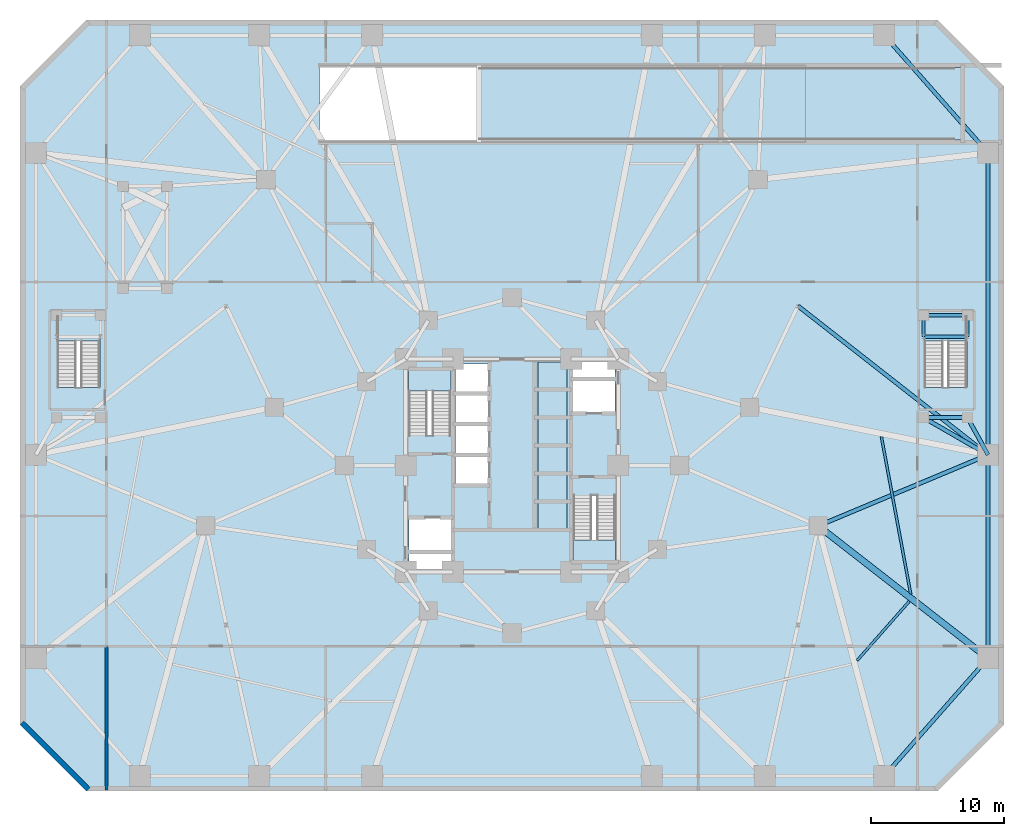
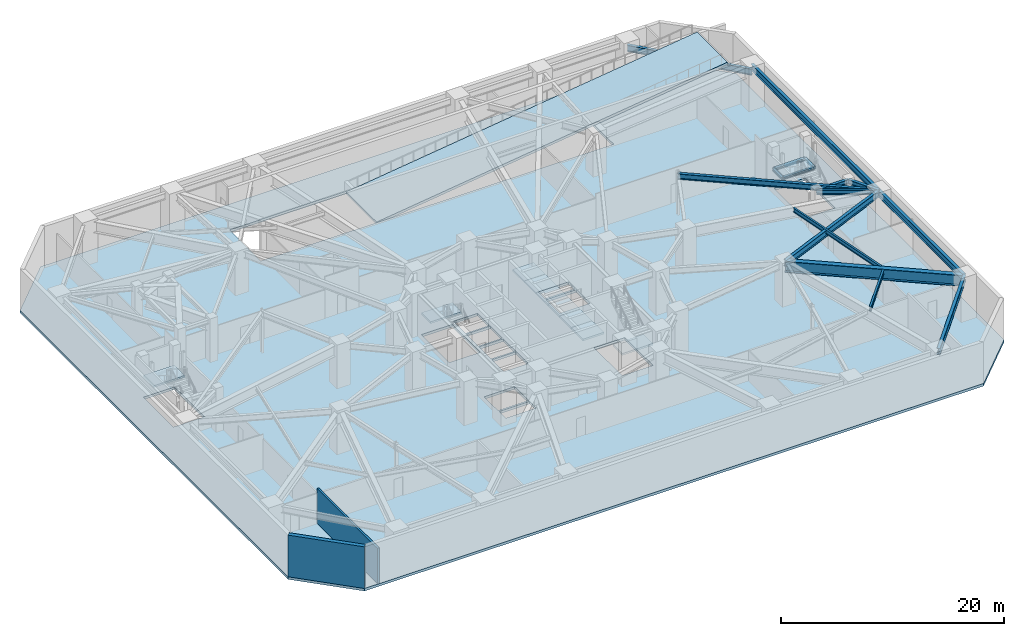
# One storey, part 10 of 18: 16 beams, 12 slabs, 2 walls, 4 elements without a shape of their own.
"""IFC4 building model written with IfcOpenShell, lengths in metres."""

from ifc_helpers import new_model, si_unit, direction, frame, frame_2d, origin, origin_2d, place, context, subcontext, project, spatial, polyline, rectangle, i_section, outline, extrude, material, layer, layer_set, material_profile, profile_set, type_object, element, aggregate, save


model = new_model("IFC4")

# Units and contexts
model_context = context("Model", 3, precision=1e-05, world=origin(), true_north=direction((0.0, 1.0)))
body_context = subcontext(model_context, "Body", "Model", "MODEL_VIEW")
ifc_project = project(units=[si_unit("LENGTHUNIT", "METRE"), si_unit("AREAUNIT", "SQUARE_METRE"), si_unit("VOLUMEUNIT", "CUBIC_METRE"), si_unit("PLANEANGLEUNIT", "RADIAN"), si_unit("MASSUNIT", "GRAM", prefix="KILO")], contexts=[model_context])

# Site, building, storey
site_placement = place(None, origin())
site = spatial("IfcSite", under=ifc_project, at=site_placement, CompositionType="ELEMENT")
building_placement = place(site_placement, origin())
building = spatial("IfcBuilding", under=site, at=building_placement, Name="Terralouvre Media Tower", CompositionType="ELEMENT")
storey_placement = place(building_placement, frame((0.0, 0.0, -4.800048828125)))
storey = spatial("IfcBuildingStorey", under=building, at=storey_placement, Name="B01", CompositionType="ELEMENT", Elevation=-4.800048828125)

# Beams
ifc_material_1 = material(Name="Structural steel S355J2", Category="steel")
ifc_material_profile_1 = material_profile(ifc_material_1, i_section(OverallWidth=0.18994140625, OverallDepth=0.449951171875, WebThickness=0.009521484375, FlangeThickness=0.0146484375, at=origin_2d()), Name="IPE 450")
ifc_profile_set_1 = profile_set([ifc_material_profile_1], Name="Structural steel S355J2")
beam_type_1 = type_object("IfcBeamType", Name="Composite Floor Joist J-IPE450 (IPE 450)", PredefinedType="JOIST", material=ifc_profile_set_1)
beam_1_placement = place(storey_placement, frame((25.950927734375, -14.67333984375, 4.324951171875), z_axis=(0.66119903181, 0.750210530674, 0.0), x_axis=(-0.750210530674, 0.66119903181, 0.0)))
element("IfcBeam", 1, at=beam_1_placement, inside=storey, type_object=beam_type_1, Name="B01 Framing Beam JT-B01-07", PredefinedType="JOIST", context=body_context, shape_type="SweptSolid", body=[
    extrude(i_section(OverallWidth=0.18994140625, OverallDepth=0.449951171875, WebThickness=0.009521484375, FlangeThickness=0.0146484375, at=origin_2d()), origin(), (0.0, 0.0, 1.0), 5.962890625),
])
beam_2_placement = place(storey_placement, frame((29.985107421875, -9.6669921875, 4.324951171875), z_axis=(-0.183290741446, 0.983058749058, 0.0), x_axis=(-0.983058749058, -0.183290741446, 0.0)))
element("IfcBeam", 2, at=beam_2_placement, inside=storey, type_object=beam_type_1, Name="B01 Framing Beam JT-B01-08", PredefinedType="JOIST", context=body_context, shape_type="SweptSolid", body=[
    extrude(i_section(OverallWidth=0.18994140625, OverallDepth=0.449951171875, WebThickness=0.009521484375, FlangeThickness=0.0146484375, at=origin_2d()), origin(), (0.0, 0.0, 1.0), 12.026611328125),
])
ifc_material_2 = material(Name="Structural steel S355J2", Category="steel")
ifc_material_profile_2 = material_profile(ifc_material_2, i_section(OverallWidth=0.239990234375, OverallDepth=0.239990234375, WebThickness=0.010009765625, FlangeThickness=0.01708984375, at=origin_2d()), Name="HEB 240")
ifc_profile_set_2 = profile_set([ifc_material_profile_2], Name="Structural steel S355J2")
beam_type_2 = type_object("IfcBeamType", Name="Opening Lintel Beam LN-240H (HEB 240)", PredefinedType="LINTEL", material=ifc_profile_set_2)
for number, where, z_axis, x_axis, name in (
    (3, (30.949951171875, 9.679931640625, 2.080078125), (0.0, 1.0, 0.0), (-1.0, 0.0, 0.0), "B01 ST-04 Intermediate Landing Support Beam 1W"),
    (4, (34.25, 9.679931640625, 2.080078125), (0.0, 1.0, 0.0), (-1.0, 0.0, 0.0), "B01 ST-04 Intermediate Landing Support Beam 1E"),
):
    element("IfcBeam", number, at=place(storey_placement, frame(where, z_axis=z_axis, x_axis=x_axis)), inside=storey, type_object=beam_type_2, Name=name, PredefinedType="LINTEL", context=body_context, shape_type="SweptSolid", body=[
        extrude(i_section(OverallWidth=0.239990234375, OverallDepth=0.239990234375, WebThickness=0.010009765625, FlangeThickness=0.01708984375, at=origin_2d()), origin(), (0.0, 0.0, 1.0), 1.6201171875),
    ])
for number, where, z_axis, x_axis, name in (
    (5, (30.949951171875, 9.679931640625, 2.080078125), (1.0, 0.0, 0.0), (0.0, 1.0, 0.0), "B01 ST-04 Intermediate Landing Support Beam 1S"),
    (6, (30.949951171875, 11.300048828125, 2.080078125), (1.0, 0.0, 0.0), (0.0, 1.0, 0.0), "B01 ST-04 Intermediate Landing Support Beam 1X"),
):
    element("IfcBeam", number, at=place(storey_placement, frame(where, z_axis=z_axis, x_axis=x_axis)), inside=storey, type_object=beam_type_2, Name=name, PredefinedType="LINTEL", context=body_context, shape_type="SweptSolid", body=[
        extrude(i_section(OverallWidth=0.239990234375, OverallDepth=0.239990234375, WebThickness=0.010009765625, FlangeThickness=0.01708984375, at=origin_2d()), origin(), (0.0, 0.0, 1.0), 3.300048828125),
    ])
ifc_material_3 = material(Name="Structural steel S355J2", Category="steel")
ifc_material_profile_3 = material_profile(ifc_material_3, i_section(OverallWidth=0.300048828125, OverallDepth=0.449951171875, WebThickness=0.013916015625, FlangeThickness=0.02587890625, at=origin_2d()), Name="HEB 450")
ifc_profile_set_3 = profile_set([ifc_material_profile_3], Name="Structural steel S355J2")
beam_type_3 = type_object("IfcBeamType", Name="Primary Floor Girder B-HEB450 (HEB 450)", PredefinedType="BEAM", material=ifc_profile_set_3)
beam_3_placement = place(storey_placement, frame((30.949951171875, 3.60009765625, 4.324951171875), z_axis=(1.0, 0.0, 0.0), x_axis=(0.0, 1.0, 0.0)))
element("IfcBeam", 7, at=beam_3_placement, inside=storey, type_object=beam_type_3, Name="B01 Framing Beam BM-B01-PVST41", PredefinedType="BEAM", context=body_context, shape_type="SweptSolid", body=[
    extrude(i_section(OverallWidth=0.300048828125, OverallDepth=0.449951171875, WebThickness=0.013916015625, FlangeThickness=0.02587890625, at=origin_2d()), origin(), (0.0, 0.0, 1.0), 3.300048828125),
])
ifc_material_4 = material(Name="Structural steel S355J2", Category="steel")
ifc_material_profile_4 = material_profile(ifc_material_4, i_section(OverallWidth=0.300048828125, OverallDepth=0.5, WebThickness=0.014404296875, FlangeThickness=0.028076171875, at=origin_2d()), Name="HEB 500")
ifc_profile_set_4 = profile_set([ifc_material_profile_4], Name="Structural steel S355J2")
beam_type_4 = type_object("IfcBeamType", Name="Primary Floor Girder B-HEB500 (HEB 500)", PredefinedType="BEAM", material=ifc_profile_set_4)
beam_4_placement = place(storey_placement, frame((30.949951171875, 3.60009765625, 4.300048828125), z_axis=(0.866037493094, -0.499979060117, 0.0), x_axis=(0.499979060117, 0.866037493094, 0.0)))
element("IfcBeam", 8, at=beam_4_placement, inside=storey, type_object=beam_type_4, Name="B01 Framing Beam BM-B01-PVTST41", PredefinedType="BEAM", context=body_context, shape_type="SweptSolid", body=[
    extrude(i_section(OverallWidth=0.300048828125, OverallDepth=0.5, WebThickness=0.014404296875, FlangeThickness=0.028076171875, at=origin_2d()), origin(), (0.0, 0.0, 1.0), 5.600341796875),
])
beam_5_placement = place(storey_placement, frame((34.25, 3.60009765625, 4.300048828125), z_axis=(0.484321096397, -0.874890322032, 0.0), x_axis=(0.874890322032, 0.484321096397, 0.0)))
element("IfcBeam", 9, at=beam_5_placement, inside=storey, type_object=beam_type_4, Name="B01 Framing Beam BM-B01-PVTST42", PredefinedType="BEAM", context=body_context, shape_type="SweptSolid", body=[
    extrude(i_section(OverallWidth=0.300048828125, OverallDepth=0.5, WebThickness=0.014404296875, FlangeThickness=0.028076171875, at=origin_2d()), origin(), (0.0, 0.0, 1.0), 3.200439453125),
])
ifc_material_5 = material(Name="Structural steel S460M", Category="steel")
ifc_material_profile_5 = material_profile(ifc_material_5, i_section(OverallWidth=0.300048828125, OverallDepth=0.60009765625, WebThickness=0.015380859375, FlangeThickness=0.030029296875, at=origin_2d()), Name="HEB 600")
ifc_profile_set_5 = profile_set([ifc_material_profile_5], Name="Structural steel S460M")
beam_type_5 = type_object("IfcBeamType", Name="Primary Floor Girder B-HEB600 (HEB 600)", PredefinedType="BEAM", material=ifc_profile_set_5)
beam_6_placement = place(storey_placement, frame((21.5, 12.0, 4.25), z_axis=(0.787274922091, -0.616602138373, 0.0), x_axis=(0.616602138373, 0.787274922091, 0.0)))
element("IfcBeam", 10, at=beam_6_placement, inside=storey, type_object=beam_type_5, Name="B01 Framing Beam BM-B01-PIL4B", PredefinedType="BEAM", context=body_context, shape_type="SweptSolid", body=[
    extrude(i_section(OverallWidth=0.300048828125, OverallDepth=0.60009765625, WebThickness=0.015380859375, FlangeThickness=0.030029296875, at=origin_2d()), origin(), (0.0, 0.0, 1.0), 18.1640625),
])
ifc_material_6 = material(Name="Structural steel S460M", Category="steel")
ifc_material_profile_6 = material_profile(ifc_material_6, i_section(OverallWidth=0.300048828125, OverallDepth=0.699951171875, WebThickness=0.01708984375, FlangeThickness=0.031982421875, at=origin_2d()), Name="HEB 700")
ifc_profile_set_6 = profile_set([ifc_material_profile_6], Name="Structural steel S460M")
beam_type_6 = type_object("IfcBeamType", Name="Primary Floor Girder B-HEB700 (HEB 700)", PredefinedType="BEAM", material=ifc_profile_set_6)
beam_7_placement = place(storey_placement, frame((23.02490234375, -4.546630859375, 4.199951171875), z_axis=(0.922468147364, 0.386073201737, 0.0), x_axis=(-0.386073201737, 0.922468147364, 0.0)))
element("IfcBeam", 11, at=beam_7_placement, inside=storey, type_object=beam_type_6, Name="B01 Framing Beam BM-B01-PM21P1", PredefinedType="BEAM", context=body_context, shape_type="SweptSolid", body=[
    extrude(i_section(OverallWidth=0.300048828125, OverallDepth=0.699951171875, WebThickness=0.01708984375, FlangeThickness=0.031982421875, at=origin_2d()), origin(), (0.0, 0.0, 1.0), 13.848876953125),
])
beam_8_placement = place(storey_placement, frame((28.0, -23.35009765625, 4.199951171875), z_axis=(0.661199207896, 0.75021037548, 0.0), x_axis=(-0.75021037548, 0.661199207896, 0.0)))
element("IfcBeam", 12, at=beam_8_placement, inside=storey, type_object=beam_type_6, Name="B01 Framing Beam BM-B01-PR07", PredefinedType="BEAM", context=body_context, shape_type="SweptSolid", body=[
    extrude(i_section(OverallWidth=0.300048828125, OverallDepth=0.699951171875, WebThickness=0.01708984375, FlangeThickness=0.031982421875, at=origin_2d()), origin(), (0.0, 0.0, 1.0), 11.796875),
])
beam_9_placement = place(storey_placement, frame((35.800048828125, -14.5, 4.199951171875), z_axis=(0.0, 1.0, 0.0), x_axis=(-1.0, 0.0, 0.0)))
element("IfcBeam", 13, at=beam_9_placement, inside=storey, type_object=beam_type_6, Name="B01 Framing Beam BM-B01-PR08", PredefinedType="BEAM", context=body_context, shape_type="SweptSolid", body=[
    extrude(i_section(OverallWidth=0.300048828125, OverallDepth=0.699951171875, WebThickness=0.01708984375, FlangeThickness=0.031982421875, at=origin_2d()), origin(), (0.0, 0.0, 1.0), 15.300048828125),
])
beam_10_placement = place(storey_placement, frame((35.800048828125, 0.800048828125, 4.199951171875), z_axis=(0.0, 1.0, 0.0), x_axis=(-1.0, 0.0, 0.0)))
element("IfcBeam", 14, at=beam_10_placement, inside=storey, type_object=beam_type_6, Name="B01 Framing Beam BM-B01-PR09", PredefinedType="BEAM", context=body_context, shape_type="SweptSolid", body=[
    extrude(i_section(OverallWidth=0.300048828125, OverallDepth=0.699951171875, WebThickness=0.01708984375, FlangeThickness=0.031982421875, at=origin_2d()), origin(), (0.0, 0.0, 1.0), 22.699951171875),
])
beam_11_placement = place(storey_placement, frame((35.800048828125, 23.5, 3.650146484375), z_axis=(-0.661199207896, 0.75021037548, 0.0), x_axis=(-0.75021037548, -0.661199207896, 0.0)))
element("IfcBeam", 15, at=beam_11_placement, inside=storey, type_object=beam_type_6, Name="B01 Framing Beam BM-B01-PR10", PredefinedType="BEAM", context=body_context, shape_type="SweptSolid", body=[
    extrude(i_section(OverallWidth=0.300048828125, OverallDepth=0.699951171875, WebThickness=0.01708984375, FlangeThickness=0.031982421875, at=origin_2d()), origin(), (0.0, 0.0, 1.0), 11.796875),
])
ifc_material_7 = material(Name="Structural steel S460M", Category="steel")
ifc_material_profile_7 = material_profile(ifc_material_7, i_section(OverallWidth=0.47998046875, OverallDepth=1.199951171875, WebThickness=0.028076171875, FlangeThickness=0.044921875, at=origin_2d()), Name="PG 1200x480")
ifc_profile_set_7 = profile_set([ifc_material_profile_7], Name="Structural steel S460M")
beam_type_7 = type_object("IfcBeamType", Name="Primary Floor Girder B-PG1200 (PG 1200x480)", PredefinedType="BEAM", material=ifc_profile_set_7)
beam_12_placement = place(storey_placement, frame((23.02490234375, -4.546630859375, 3.949951171875), z_axis=(0.788838921833, -0.614599996259, 0.0), x_axis=(0.614599996259, 0.788838921833, 0.0)))
element("IfcBeam", 16, at=beam_12_placement, inside=storey, type_object=beam_type_7, Name="B01 Framing Beam BM-B01-RD08", PredefinedType="BEAM", context=body_context, shape_type="SweptSolid", body=[
    extrude(i_section(OverallWidth=0.47998046875, OverallDepth=1.199951171875, WebThickness=0.028076171875, FlangeThickness=0.044921875, at=origin_2d()), origin(), (0.0, 0.0, 1.0), 16.19482421875),
])

# Slabs
ifc_material_8 = material(Name="Concrete C50/60", Category="concrete")
ifc_layer_1 = layer(ifc_material_8, 0.280029296875, Name="Basement Suspended Car Park Slab S-CAR280")
ifc_layer_set_1 = layer_set([ifc_layer_1], Name="Concrete C50/60")
slab_type_1 = type_object("IfcSlabType", Name="Basement Suspended Car Park Slab S-CAR280", PredefinedType="FLOOR", material=ifc_layer_set_1)
slab_1_placement = place(storey_placement, frame((0.0, 0.0, -0.280029296875)))
element("IfcSlab", 17, at=slab_1_placement, inside=storey, type_object=slab_type_1, Name="B01 Structural Floor Slab", PredefinedType="FLOOR", context=body_context, shape_type="SweptSolid", body=[
    extrude(outline(polyline([(-32.0, -24.5), (32.0, -24.5), (37.0, -19.5), (37.0, 28.5), (32.0, 33.5), (-32.0, 33.5), (-37.0, 28.5), (-37.0, -19.5), (-32.0, -24.5)]), holes=[polyline([(-4.60009765625, -6.60009765625), (-4.60009765625, -7.800048828125), (-7.75, -7.800048828125), (-7.75, -6.60009765625), (-4.60009765625, -6.60009765625)]), polyline([(-4.60009765625, -6.39990234375), (-7.75, -6.39990234375), (-7.75, -3.949951171875), (-4.60009765625, -3.949951171875), (-4.60009765625, -6.39990234375)]), polyline([(-1.75, -1.419921875), (-4.25, -1.419921875), (-4.25, 0.719970703125), (-1.75, 0.719970703125), (-1.75, -1.419921875)]), polyline([(-1.75, 0.8798828125), (-4.25, 0.8798828125), (-4.25, 3.02001953125), (-1.75, 3.02001953125), (-1.75, 0.8798828125)]), polyline([(-1.75, 3.179931640625), (-4.25, 3.179931640625), (-4.25, 5.320068359375), (-1.75, 5.320068359375), (-1.75, 3.179931640625)]), polyline([(-4.60009765625, 2.2451171875), (-7.780029296875, 2.2451171875), (-7.780029296875, 7.260009765625), (-4.60009765625, 7.260009765625), (-4.60009765625, 2.2451171875)]), polyline([(-31.0, 5.875), (-34.199951171875, 5.875), (-34.199951171875, 11.25), (-31.0, 11.25), (-31.0, 5.875)]), polyline([(4.60009765625, -7.260009765625), (4.60009765625, -2.2451171875), (7.780029296875, -2.2451171875), (7.780029296875, -7.260009765625), (4.60009765625, -7.260009765625)]), polyline([(7.75, 3.949951171875), (4.60009765625, 3.949951171875), (4.60009765625, 6.39990234375), (7.75, 6.39990234375), (7.75, 3.949951171875)]), polyline([(-1.75, 5.47998046875), (-4.25, 5.47998046875), (-4.25, 7.6201171875), (-1.75, 7.6201171875), (-1.75, 5.47998046875)]), polyline([(7.75, 6.60009765625), (4.60009765625, 6.60009765625), (4.60009765625, 7.800048828125), (7.75, 7.800048828125), (7.75, 6.60009765625)]), polyline([(34.199951171875, 5.875), (31.0, 5.875), (31.0, 11.25), (34.199951171875, 11.25), (34.199951171875, 5.875)]), polyline([(-0.25, 24.39990234375), (-2.47998046875, 24.39990234375), (-14.47998046875, 24.39990234375), (-14.47998046875, 30.0), (-2.47998046875, 30.0), (-0.25, 30.0), (22.0, 30.0), (22.0, 24.39990234375), (-0.25, 24.39990234375)])]), origin(), (0.0, 0.0, 1.0), 0.280029296875),
])
ifc_material_9 = material(Name="Concrete C50/60", Category="concrete")
ifc_layer_2 = layer(ifc_material_9, 0.199951171875, Name="Lift Pit and Overrun Structural Slab SL-LP200")
ifc_layer_set_2 = layer_set([ifc_layer_2], Name="Concrete C50/60")
slab_type_2 = type_object("IfcSlabType", Name="Lift Pit and Overrun Structural Slab SL-LP200", PredefinedType="FLOOR", material=ifc_layer_set_2)
slab_2_placement = place(storey_placement, frame((0.0, 0.0, 3.199951171875)))
element("IfcSlab", 18, at=slab_2_placement, inside=storey, type_object=slab_type_2, Name="PL-M1 Lift Pit Base Slab", PredefinedType="FLOOR", context=body_context, shape_type="SweptSolid", body=[
    extrude(outline(polyline([(1.969970703125, 1.5048828125), (4.1298828125, 1.5048828125), (4.1298828125, 3.594970703125), (1.969970703125, 3.594970703125), (1.969970703125, 1.5048828125)])), origin(), (0.0, 0.0, 1.0), 0.2001953125),
])
slab_3_placement = place(storey_placement, frame((0.0, 0.0, 3.199951171875)))
element("IfcSlab", 19, at=slab_3_placement, inside=storey, type_object=slab_type_2, Name="PL-M2 Lift Pit Base Slab", PredefinedType="FLOOR", context=body_context, shape_type="SweptSolid", body=[
    extrude(outline(polyline([(1.969970703125, 3.60498046875), (4.1298828125, 3.60498046875), (4.1298828125, 5.695068359375), (1.969970703125, 5.695068359375), (1.969970703125, 3.60498046875)])), origin(), (0.0, 0.0, 1.0), 0.2001953125),
])
slab_4_placement = place(storey_placement, frame((0.0, 0.0, 3.199951171875)))
element("IfcSlab", 20, at=slab_4_placement, inside=storey, type_object=slab_type_2, Name="PL-M3 Lift Pit Base Slab", PredefinedType="FLOOR", context=body_context, shape_type="SweptSolid", body=[
    extrude(outline(polyline([(1.969970703125, 5.705078125), (4.1298828125, 5.705078125), (4.1298828125, 7.794921875), (1.969970703125, 7.794921875), (1.969970703125, 5.705078125)])), origin(), (0.0, 0.0, 1.0), 0.2001953125),
])
slab_5_placement = place(storey_placement, frame((0.0, 0.0, 3.199951171875)))
element("IfcSlab", 21, at=slab_5_placement, inside=storey, type_object=slab_type_2, Name="PL-H1 Lift Pit Base Slab", PredefinedType="FLOOR", context=body_context, shape_type="SweptSolid", body=[
    extrude(outline(polyline([(1.969970703125, -4.794921875), (4.1298828125, -4.794921875), (4.1298828125, -2.705078125), (1.969970703125, -2.705078125), (1.969970703125, -4.794921875)])), origin(), (0.0, 0.0, 1.0), 0.2001953125),
])
slab_6_placement = place(storey_placement, frame((0.0, 0.0, 3.199951171875)))
element("IfcSlab", 22, at=slab_6_placement, inside=storey, type_object=slab_type_2, Name="PL-H2 Lift Pit Base Slab", PredefinedType="FLOOR", context=body_context, shape_type="SweptSolid", body=[
    extrude(outline(polyline([(1.969970703125, -2.695068359375), (4.1298828125, -2.695068359375), (4.1298828125, -0.60498046875), (1.969970703125, -0.60498046875), (1.969970703125, -2.695068359375)])), origin(), (0.0, 0.0, 1.0), 0.2001953125),
])
slab_7_placement = place(storey_placement, frame((0.0, 0.0, 3.199951171875)))
element("IfcSlab", 23, at=slab_7_placement, inside=storey, type_object=slab_type_2, Name="PL-H3 Lift Pit Base Slab", PredefinedType="FLOOR", context=body_context, shape_type="SweptSolid", body=[
    extrude(outline(polyline([(1.969970703125, -0.594970703125), (4.1298828125, -0.594970703125), (4.1298828125, 1.4951171875), (1.969970703125, 1.4951171875), (1.969970703125, -0.594970703125)])), origin(), (0.0, 0.0, 1.0), 0.2001953125),
])

# Stair, slab
ifc_material_10 = material(Name="Concrete C45/55", Category="concrete")
stair_type_1 = type_object("IfcStairType", Name="Dogleg Stair Assembly ST-01", PredefinedType="HALF_TURN_STAIR", material=ifc_material_10)
stair_1_placement = place(storey_placement, origin())
stair_1 = element("IfcStair", 24, at=stair_1_placement, inside=storey, type_object=stair_type_1, Name="B01 Core Pressurised Exit Stair ST-01", PredefinedType="HALF_TURN_STAIR")
ifc_material_11 = material(Name="Concrete C45/55", Category="concrete")
ifc_layer_3 = layer(ifc_material_11, 0.199951171875, Name="Reinforced Concrete Stair Half-Landing SL-LD1")
ifc_layer_set_3 = layer_set([ifc_layer_3], Name="Concrete C45/55")
slab_type_3 = type_object("IfcSlabType", Name="Reinforced Concrete Stair Half-Landing SL-LD1", PredefinedType="LANDING", material=ifc_layer_set_3)
slab_8_placement = place(storey_placement, frame((0.0, 0.0, 2.199951171875)))
slab_8 = element("IfcSlab", 25, at=slab_8_placement, type_object=slab_type_3, Name="ST-01 landing 1", PredefinedType="LANDING", context=body_context, shape_type="SweptSolid", body=[
    extrude(outline(polyline([(-4.60009765625, 5.60009765625), (-4.60009765625, 7.260009765625), (-7.780029296875, 7.260009765625), (-7.780029296875, 5.60009765625), (-4.60009765625, 5.60009765625)])), origin(), (0.0, 0.0, 1.0), 0.2001953125),
])
aggregate(stair_1, [slab_8])

ifc_material_12 = material(Name="Concrete C45/55", Category="concrete")
stair_type_2 = type_object("IfcStairType", Name="Dogleg Stair Assembly ST-02", PredefinedType="HALF_TURN_STAIR", material=ifc_material_12)
stair_2_placement = place(storey_placement, origin())
stair_2 = element("IfcStair", 26, at=stair_2_placement, inside=storey, type_object=stair_type_2, Name="B01 Core Pressurised Exit Stair ST-02", PredefinedType="HALF_TURN_STAIR")
slab_9_placement = place(storey_placement, frame((0.0, 0.0, 2.199951171875)))
slab_9 = element("IfcSlab", 27, at=slab_9_placement, type_object=slab_type_3, Name="ST-02 landing 1", PredefinedType="LANDING", context=body_context, shape_type="SweptSolid", body=[
    extrude(outline(polyline([(4.60009765625, -5.60009765625), (4.60009765625, -7.260009765625), (7.780029296875, -7.260009765625), (7.780029296875, -5.60009765625), (4.60009765625, -5.60009765625)])), origin(), (0.0, 0.0, 1.0), 0.2001953125),
])
aggregate(stair_2, [slab_9])

ifc_material_13 = material(Name="Concrete C45/55", Category="concrete")
stair_type_3 = type_object("IfcStairType", Name="Dogleg Stair Assembly ST-03", PredefinedType="HALF_TURN_STAIR", material=ifc_material_13)
stair_3_placement = place(storey_placement, origin())
stair_3 = element("IfcStair", 28, at=stair_3_placement, inside=storey, type_object=stair_type_3, Name="B01 West Podium Exit Stair ST-03", PredefinedType="HALF_TURN_STAIR")
slab_10_placement = place(storey_placement, frame((0.0, 0.0, 2.199951171875)))
slab_10 = element("IfcSlab", 29, at=slab_10_placement, type_object=slab_type_3, Name="ST-03 landing 1", PredefinedType="LANDING", context=body_context, shape_type="SweptSolid", body=[
    extrude(outline(polyline([(-31.0, 9.360107421875), (-31.0, 11.25), (-34.199951171875, 11.25), (-34.199951171875, 9.360107421875), (-31.0, 9.360107421875)])), origin(), (0.0, 0.0, 1.0), 0.2001953125),
])
aggregate(stair_3, [slab_10])

ifc_material_14 = material(Name="Concrete C45/55", Category="concrete")
stair_type_4 = type_object("IfcStairType", Name="Dogleg Stair Assembly ST-04", PredefinedType="HALF_TURN_STAIR", material=ifc_material_14)
stair_4_placement = place(storey_placement, origin())
stair_4 = element("IfcStair", 30, at=stair_4_placement, inside=storey, type_object=stair_type_4, Name="B01 East Podium Exit Stair ST-04", PredefinedType="HALF_TURN_STAIR")
slab_11_placement = place(storey_placement, frame((0.0, 0.0, 2.199951171875)))
slab_11 = element("IfcSlab", 31, at=slab_11_placement, type_object=slab_type_3, Name="ST-04 landing 1", PredefinedType="LANDING", context=body_context, shape_type="SweptSolid", body=[
    extrude(outline(polyline([(34.199951171875, 9.360107421875), (34.199951171875, 11.25), (31.0, 11.25), (31.0, 9.360107421875), (34.199951171875, 9.360107421875)])), origin(), (0.0, 0.0, 1.0), 0.2001953125),
])
aggregate(stair_4, [slab_11])

# Slab
ifc_material_15 = material(Name="Concrete C50/60", Category="concrete")
ifc_layer_4 = layer(ifc_material_15, 0.280029296875, Name="Reinforced Concrete Vehicle Access Ramp Slab SL-VR280")
ifc_layer_set_4 = layer_set([ifc_layer_4], Name="Concrete C50/60")
slab_type_4 = type_object("IfcSlabType", Name="Reinforced Concrete Vehicle Access Ramp Slab SL-VR280", PredefinedType="FLOOR", material=ifc_layer_set_4)
slab_12_placement = place(storey_placement, frame((-2.4599609375, 24.47998046875, 0.0), z_axis=(-0.130624849708, 0.0, 0.991431867875), x_axis=(0.991431867875, 0.0, 0.130624849708)))
element("IfcSlab", 32, at=slab_12_placement, inside=storey, type_object=slab_type_4, Name="Basement B01 to L00 Vehicle Access Ramp Slab", PredefinedType="FLOOR", context=body_context, shape_type="SweptSolid", body=[
    extrude(outline(polyline([(0.0, 0.0), (36.593505859375, 0.0), (36.593505859375, 5.43994140625), (0.0, 5.43994140625), (0.0, 0.0)])), origin(), (0.0, 0.0, -1.0), 0.280029296875),
])

# Walls
ifc_material_16 = material(Name="Concrete C50/60", Category="concrete")
ifc_layer_5 = layer(ifc_material_16, 0.39990234375, Name="Basement Perimeter Retaining Wall EW-RC400")
ifc_layer_set_5 = layer_set([ifc_layer_5], Name="Concrete C50/60")
wall_type_1 = type_object("IfcWallType", Name="Basement Perimeter Retaining Wall EW-RC400", PredefinedType="USERDEFINED", material=ifc_layer_set_5)
wall_1_placement = place(storey_placement, frame((-36.858642578125, -19.358642578125, 0.0), z_axis=(0.0, 0.0, 1.0), x_axis=(0.707106781187, -0.707106781187, 0.0)))
element("IfcWall", 33, at=wall_1_placement, inside=storey, type_object=wall_type_1, Name="B01 Perimeter Retaining Wall 08", ObjectType="RETAINING", PredefinedType="USERDEFINED", context=body_context, shape_type="SweptSolid", body=[
    extrude(rectangle(XDim=7.071044921875, YDim=0.39990234375, at=frame_2d((3.53564453125, 0.0))), origin(), (0.0, 0.0, 1.0), 4.550048828125),
])
ifc_material_17 = material(Name="Fire-rated gypsum board drywall partition")
ifc_layer_6 = layer(ifc_material_17, 0.199951171875, Name="Fire-Rated Shaft and Lobby Partition FW-200")
ifc_layer_set_6 = layer_set([ifc_layer_6], Name="Fire-rated gypsum board drywall partition")
wall_type_2 = type_object("IfcWallType", Name="Fire-Rated Shaft and Lobby Partition FW-200", PredefinedType="SOLIDWALL", material=ifc_layer_set_6)
wall_2_placement = place(storey_placement, frame((-30.5, -24.419921875, 0.0), z_axis=(0.0, 0.0, 1.0), x_axis=(0.0, 1.0, 0.0)))
element("IfcWall", 34, at=wall_2_placement, inside=storey, type_object=wall_type_2, Name="B01 Interior Partition 016", PredefinedType="SOLIDWALL", context=body_context, shape_type="SweptSolid", body=[
    extrude(rectangle(XDim=10.81982421875, YDim=0.199951171875, at=frame_2d((5.409912109375, 0.0))), origin(), (0.0, 0.0, 1.0), 3.8349609375),
])

save(model, "model.ifc")
